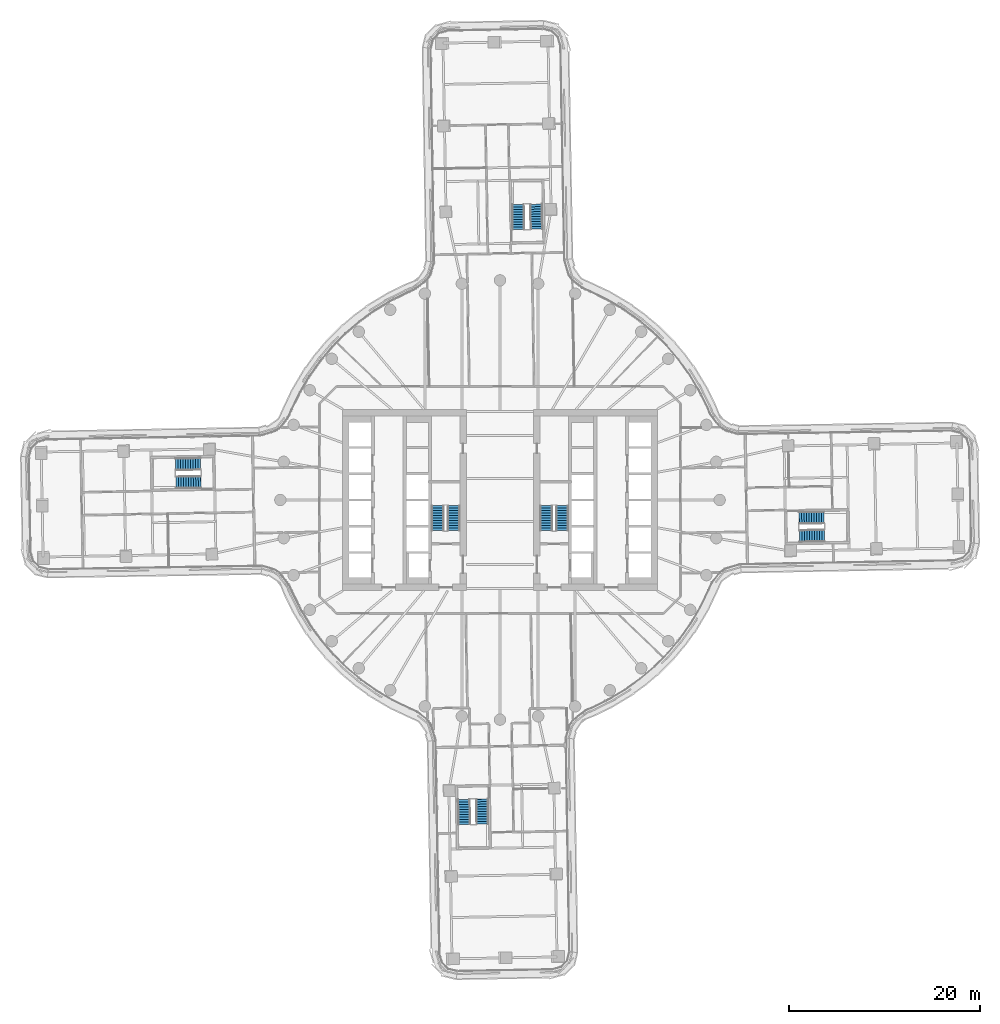
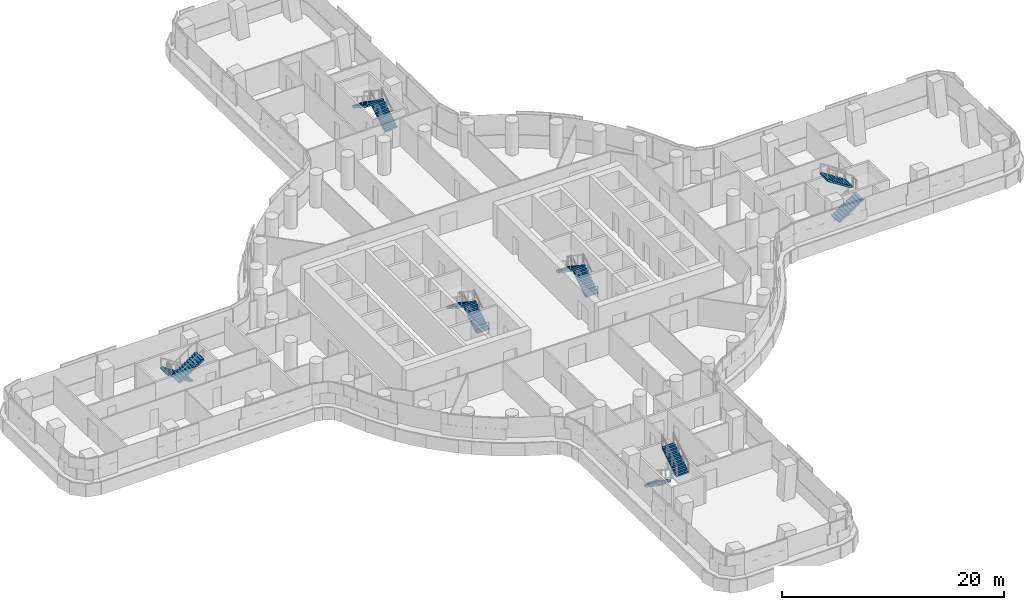
# One storey, part 24 of 31: 12 stair flights, 6 elements without a shape of their own.
"""IFC4 building model written with IfcOpenShell, lengths in metres."""

import ifcopenshell
import ifcopenshell.guid

model = None  # the IFC model being written
_history = None  # IfcOwnerHistory: only IFC2X3 demands one
_inside = {}  # id of a spatial element -> (the spatial element, [elements in it])
_under = {}  # id of a project, library or spatial element -> (it, [spatial elements below it])
_declared = {}  # id of a project -> (the project, [libraries it declares])
_typed = {}  # id of a type object -> (the type object, [elements of that type])
_made_of = {}  # id of a material, layer set ... -> (it, [elements and type objects made of it])


def new_model(schema):
    """Start an empty IFC model of exactly this schema.

    Asked for "IFC4X3", IfcOpenShell would pick the latest addendum, in which some entities
    have other attributes; the version numbers below select the first issue.
    IFC2X3 requires an IfcOwnerHistory on every rooted entity: one is made here for all.
    """
    global model, _history
    if schema == "IFC4X3":
        model = ifcopenshell.file(schema_version=(4, 3, 0, 0))
    else:
        model = ifcopenshell.file(schema=schema)
    _inside.clear()
    _under.clear()
    _declared.clear()
    _typed.clear()
    _made_of.clear()
    _history = None
    if model.schema == "IFC2X3":
        org = make("IfcOrganization", Name="unknown")
        user = make(
            "IfcPersonAndOrganization",
            ThePerson=make("IfcPerson", FamilyName="unknown"),
            TheOrganization=org,
        )
        app = make(
            "IfcApplication",
            ApplicationDeveloper=org,
            Version="unknown",
            ApplicationFullName="unknown",
            ApplicationIdentifier="unknown",
        )
        _history = make(
            "IfcOwnerHistory",
            OwningUser=user,
            OwningApplication=app,
            ChangeAction="ADDED",
            CreationDate=0,
        )
    return model


def make(cls, **values):
    """One entity of the class cls with the attributes given. An attribute that is None is left unset."""
    return model.create_entity(
        cls, **{name: value for name, value in values.items() if value is not None}
    )


def rooted(cls, **values):
    """An entity with a GlobalId (a new one), such as an element, a storey or a relation."""
    return make(cls, GlobalId=ifcopenshell.guid.new(), OwnerHistory=_history, **values)


def si_unit(unit_type, name, prefix=None):
    """IfcSIUnit, for example si_unit("LENGTHUNIT", "METRE", prefix="MILLI")."""
    return make("IfcSIUnit", UnitType=unit_type, Prefix=prefix, Name=name)


def assignment(units):
    """IfcUnitAssignment: the units of a project."""
    return None if units is None else make("IfcUnitAssignment", Units=units)


def point(xyz):
    """IfcCartesianPoint."""
    return None if xyz is None else make("IfcCartesianPoint", Coordinates=xyz)


def direction(xyz):
    """IfcDirection."""
    return None if xyz is None else make("IfcDirection", DirectionRatios=xyz)


def frame(location, z_axis=None, x_axis=None):
    """IfcAxis2Placement3D, a coordinate frame: its origin and axes. An axis left out is left unset."""
    return make(
        "IfcAxis2Placement3D",
        Location=point(location),
        Axis=direction(z_axis),
        RefDirection=direction(x_axis),
    )


def origin():
    """The frame at (0, 0, 0) with its axes left unset."""
    return frame((0.0, 0.0, 0.0))


def place(relative_to, where):
    """IfcLocalPlacement: puts the frame where relative to a parent placement (None: the world)."""
    return make(
        "IfcLocalPlacement", PlacementRelTo=relative_to, RelativePlacement=where
    )


def context(
    kind, dimensions, precision=None, world=None, true_north=None, identifier=None
):
    """IfcGeometricRepresentationContext, for example the 3D "Model" context."""
    return make(
        "IfcGeometricRepresentationContext",
        ContextIdentifier=identifier,
        ContextType=kind,
        CoordinateSpaceDimension=dimensions,
        Precision=precision,
        WorldCoordinateSystem=world,
        TrueNorth=true_north,
    )


def subcontext(parent, identifier, kind, view, scale=None):
    """IfcGeometricRepresentationSubContext, for example "Body" below "Model"."""
    return make(
        "IfcGeometricRepresentationSubContext",
        ContextIdentifier=identifier,
        ContextType=kind,
        ParentContext=parent,
        TargetScale=scale,
        TargetView=view,
    )


def project(units=None, contexts=None):
    """IfcProject with its units and contexts."""
    return rooted(
        "IfcProject",
        Name="project",
        RepresentationContexts=contexts,
        UnitsInContext=assignment(units),
    )


def spatial(cls, under=None, at=None, **own):
    """A site, building, storey or space (cls), placed at a placement, below another one or the project."""
    s = rooted(cls, ObjectPlacement=at, **own)
    if under is not None:
        _under.setdefault(under.id(), (under, []))[1].append(s)
    return s


def polyline(points):
    """IfcPolyline through the points."""
    return make("IfcPolyline", Points=[point(p) for p in points])


def outline(outer, holes=None, kind="AREA"):
    """IfcArbitraryClosedProfileDef: a profile drawn as a closed curve; with holes, ...WithVoids."""
    if holes is None:
        return make("IfcArbitraryClosedProfileDef", ProfileType=kind, OuterCurve=outer)
    return make(
        "IfcArbitraryProfileDefWithVoids",
        ProfileType=kind,
        OuterCurve=outer,
        InnerCurves=holes,
    )


def extrude(swept, where, along, depth):
    """IfcExtrudedAreaSolid: the profile swept, set in the frame where, extruded along a direction by depth."""
    return make(
        "IfcExtrudedAreaSolid",
        SweptArea=swept,
        Position=where,
        ExtrudedDirection=direction(along),
        Depth=depth,
    )


def shape(context_of_items, identifier, shape_type, items):
    """IfcShapeRepresentation: the items that make up one representation, for example the "Body"."""
    return make(
        "IfcShapeRepresentation",
        ContextOfItems=context_of_items,
        RepresentationIdentifier=identifier,
        RepresentationType=shape_type,
        Items=items,
    )


def material(Name=None, Category=None):
    """IfcMaterial."""
    return make("IfcMaterial", Name=Name, Category=Category)


def made_of(thing, what):
    """Note that an element or type object is made of a material, layer set ...; save() writes the relation."""
    if what is not None:
        _made_of.setdefault(what.id(), (what, []))[1].append(thing)
    return thing


def type_object(cls, material=None, **own):
    """A type object (cls), such as IfcWallType, which elements share."""
    return made_of(rooted(cls, **own), material)


def element(
    cls,
    number,
    at=None,
    inside=None,
    cuts=None,
    type_object=None,
    material=None,
    context=None,
    identifier="Body",
    shape_type=None,
    held_by="IfcProductDefinitionShape",
    body=None,
    shapes=None,
    **own,
):
    """One element of the class cls, such as IfcWall. Its Tag is "e" and its number.

    at: its placement. inside: the storey or other place that contains it. cuts: it is an
    opening in that element (IfcRelVoidsElement). A single representation is given by context,
    identifier, shape_type and body (its items); several are given by shapes. held_by: the class
    of the entity that holds the representations. save() writes the other relations.
    """
    e = rooted(cls, Tag="e%d" % number, ObjectPlacement=at, **own)
    if body is not None:
        shapes = [shape(context, identifier, shape_type, body)]
    if shapes is not None:
        e.Representation = make(held_by, Representations=shapes)
    if inside is not None:
        _inside.setdefault(inside.id(), (inside, []))[1].append(e)
    if cuts is not None:
        rooted(
            "IfcRelVoidsElement", RelatingBuildingElement=cuts, RelatedOpeningElement=e
        )
    if type_object is not None:
        _typed.setdefault(type_object.id(), (type_object, []))[1].append(e)
    return made_of(e, material)


def aggregate(whole, parts):
    """IfcRelAggregates: a whole, such as a stair, and the parts it consists of."""
    return rooted("IfcRelAggregates", RelatingObject=whole, RelatedObjects=parts)


def save(model, path):
    """Write the relations noted so far, then the file.

    IfcRelAggregates (storeys below a building ...), IfcRelContainedInSpatialStructure (elements
    in a storey), IfcRelDefinesByType, IfcRelAssociatesMaterial and IfcRelDeclares: one each for
    every whole, place, type object, material and project.
    """
    for whole, parts in _under.values():
        aggregate(whole, parts)
    for where, things in _inside.values():
        rooted(
            "IfcRelContainedInSpatialStructure",
            RelatedElements=things,
            RelatingStructure=where,
        )
    for kind, things in _typed.values():
        rooted("IfcRelDefinesByType", RelatedObjects=things, RelatingType=kind)
    for what, things in _made_of.values():
        rooted("IfcRelAssociatesMaterial", RelatedObjects=things, RelatingMaterial=what)
    for by, libraries in _declared.values():
        rooted("IfcRelDeclares", RelatingContext=by, RelatedDefinitions=libraries)
    model.write(path)


model = new_model("IFC4")

# Units and contexts
model_context = context("Model", 3, precision=1e-05, world=origin(), true_north=direction((0.0, 1.0)))
body_context = subcontext(model_context, "Body", "Model", "MODEL_VIEW")
ifc_project = project(units=[si_unit("LENGTHUNIT", "METRE"), si_unit("AREAUNIT", "SQUARE_METRE"), si_unit("VOLUMEUNIT", "CUBIC_METRE"), si_unit("PLANEANGLEUNIT", "RADIAN"), si_unit("MASSUNIT", "GRAM", prefix="KILO")], contexts=[model_context])

# Site, building, storey
site_placement = place(None, origin())
site = spatial("IfcSite", under=ifc_project, at=site_placement, CompositionType="ELEMENT")
building_placement = place(site_placement, origin())
building = spatial("IfcBuilding", under=site, at=building_placement, Name="Tamarind Cross Interchange Tower", CompositionType="ELEMENT")
storey_placement = place(building_placement, frame((0.0, 0.0, 37.75)))
storey = spatial("IfcBuildingStorey", under=building, at=storey_placement, Name="L07", CompositionType="ELEMENT", Elevation=37.75)

# Stair, stair flights
ifc_material_1 = material(Name="Exit stair")
stair_type = type_object("IfcStairType", Name="Exit stair", PredefinedType="HALF_TURN_STAIR", material=ifc_material_1)
stair_1_placement = place(storey_placement, origin())
stair_1 = element("IfcStair", 1, at=stair_1_placement, inside=storey, type_object=stair_type, Name="L07 exit stair ST1", PredefinedType="HALF_TURN_STAIR")
ifc_material_2 = material(Name="Exit stair flight")
stair_flight_type = type_object("IfcStairFlightType", Name="Exit stair flight", PredefinedType="STRAIGHT", material=ifc_material_2)
stair_flight_1_placement = place(storey_placement, frame((-4.85009765625, -3.199951171875, 0.0), z_axis=(0.0, 0.0, 1.0), x_axis=(0.0, 1.0, 0.0)))
stair_flight_1 = element("IfcStairFlight", 2, at=stair_flight_1_placement, type_object=stair_flight_type, Name="ST1 flight 1", NumberOfRisers=11, NumberOfTreads=10, PredefinedType="STRAIGHT", RiserHeight=0.170454545, TreadLength=0.26, context=body_context, shape_type="SweptSolid", body=[
    extrude(outline(polyline([(0.0, 0.0), (0.0, 0.17041015625), (0.260009765625, 0.17041015625), (0.260009765625, 0.3408203125), (0.52001953125, 0.3408203125), (0.52001953125, 0.511474609375), (0.780029296875, 0.511474609375), (0.780029296875, 0.681884765625), (1.0400390625, 0.681884765625), (1.0400390625, 0.852294921875), (1.300048828125, 0.852294921875), (1.300048828125, 1.022705078125), (1.56005859375, 1.022705078125), (1.56005859375, 1.193115234375), (1.820068359375, 1.193115234375), (1.820068359375, 1.363525390625), (2.080078125, 1.363525390625), (2.080078125, 1.5341796875), (2.340087890625, 1.5341796875), (2.340087890625, 1.70458984375), (2.60009765625, 1.70458984375), (2.60009765625, 1.875), (2.60009765625, 1.525390625), (0.2734375, 0.0), (0.0, 0.0)])), frame((0.0, 0.64990234375, 0.0), z_axis=(0.0, -1.0, 0.0), x_axis=(1.0, 0.0, 0.0)), (0.0, 0.0, 1.0), 1.300048828125),
])
stair_flight_2_placement = place(storey_placement, frame((-6.5, -0.60009765625, 1.875), z_axis=(0.0, 0.0, 1.0), x_axis=(0.0, -1.0, 0.0)))
stair_flight_2 = element("IfcStairFlight", 3, at=stair_flight_2_placement, type_object=stair_flight_type, Name="ST1 flight 2", NumberOfRisers=11, NumberOfTreads=10, PredefinedType="STRAIGHT", RiserHeight=0.170454545, TreadLength=0.26, context=body_context, shape_type="SweptSolid", body=[
    extrude(outline(polyline([(0.0, 0.0), (0.0, 0.17041015625), (0.260009765625, 0.17041015625), (0.260009765625, 0.3408203125), (0.52001953125, 0.3408203125), (0.52001953125, 0.511474609375), (0.780029296875, 0.511474609375), (0.780029296875, 0.681884765625), (1.0400390625, 0.681884765625), (1.0400390625, 0.852294921875), (1.300048828125, 0.852294921875), (1.300048828125, 1.022705078125), (1.56005859375, 1.022705078125), (1.56005859375, 1.193115234375), (1.820068359375, 1.193115234375), (1.820068359375, 1.363525390625), (2.080078125, 1.363525390625), (2.080078125, 1.5341796875), (2.340087890625, 1.5341796875), (2.340087890625, 1.70458984375), (2.60009765625, 1.70458984375), (2.60009765625, 1.7548828125), (2.612060546875, 1.7548828125), (2.612060546875, 1.533203125), (0.2734375, 0.0), (0.0, 0.0)])), frame((0.0, 0.64990234375, 0.0), z_axis=(0.0, -1.0, 0.0), x_axis=(1.0, 0.0, 0.0)), (0.0, 0.0, 1.0), 1.300048828125),
])
aggregate(stair_1, [stair_flight_1, stair_flight_2])

stair_2_placement = place(storey_placement, origin())
stair_2 = element("IfcStair", 4, at=stair_2_placement, inside=storey, type_object=stair_type, Name="L07 exit stair ST2", PredefinedType="HALF_TURN_STAIR")
stair_flight_3_placement = place(storey_placement, frame((6.5, -3.199951171875, 0.0), z_axis=(0.0, 0.0, 1.0), x_axis=(0.0, 1.0, 0.0)))
stair_flight_3 = element("IfcStairFlight", 5, at=stair_flight_3_placement, type_object=stair_flight_type, Name="ST2 flight 1", NumberOfRisers=11, NumberOfTreads=10, PredefinedType="STRAIGHT", RiserHeight=0.170454545, TreadLength=0.26, context=body_context, shape_type="SweptSolid", body=[
    extrude(outline(polyline([(0.0, 0.0), (0.0, 0.17041015625), (0.260009765625, 0.17041015625), (0.260009765625, 0.3408203125), (0.52001953125, 0.3408203125), (0.52001953125, 0.511474609375), (0.780029296875, 0.511474609375), (0.780029296875, 0.681884765625), (1.0400390625, 0.681884765625), (1.0400390625, 0.852294921875), (1.300048828125, 0.852294921875), (1.300048828125, 1.022705078125), (1.56005859375, 1.022705078125), (1.56005859375, 1.193115234375), (1.820068359375, 1.193115234375), (1.820068359375, 1.363525390625), (2.080078125, 1.363525390625), (2.080078125, 1.5341796875), (2.340087890625, 1.5341796875), (2.340087890625, 1.70458984375), (2.60009765625, 1.70458984375), (2.60009765625, 1.875), (2.60009765625, 1.525390625), (0.2734375, 0.0), (0.0, 0.0)])), frame((0.0, 0.64990234375, 0.0), z_axis=(0.0, -1.0, 0.0), x_axis=(1.0, 0.0, 0.0)), (0.0, 0.0, 1.0), 1.300048828125),
])
stair_flight_4_placement = place(storey_placement, frame((4.85009765625, -0.60009765625, 1.875), z_axis=(0.0, 0.0, 1.0), x_axis=(0.0, -1.0, 0.0)))
stair_flight_4 = element("IfcStairFlight", 6, at=stair_flight_4_placement, type_object=stair_flight_type, Name="ST2 flight 2", NumberOfRisers=11, NumberOfTreads=10, PredefinedType="STRAIGHT", RiserHeight=0.170454545, TreadLength=0.26, context=body_context, shape_type="SweptSolid", body=[
    extrude(outline(polyline([(0.0, 0.0), (0.0, 0.17041015625), (0.260009765625, 0.17041015625), (0.260009765625, 0.3408203125), (0.52001953125, 0.3408203125), (0.52001953125, 0.511474609375), (0.780029296875, 0.511474609375), (0.780029296875, 0.681884765625), (1.0400390625, 0.681884765625), (1.0400390625, 0.852294921875), (1.300048828125, 0.852294921875), (1.300048828125, 1.022705078125), (1.56005859375, 1.022705078125), (1.56005859375, 1.193115234375), (1.820068359375, 1.193115234375), (1.820068359375, 1.363525390625), (2.080078125, 1.363525390625), (2.080078125, 1.5341796875), (2.340087890625, 1.5341796875), (2.340087890625, 1.70458984375), (2.60009765625, 1.70458984375), (2.60009765625, 1.7548828125), (2.612060546875, 1.7548828125), (2.612060546875, 1.533203125), (0.2734375, 0.0), (0.0, 0.0)])), frame((0.0, 0.64990234375, 0.0), z_axis=(0.0, -1.0, 0.0), x_axis=(1.0, 0.0, 0.0)), (0.0, 0.0, 1.0), 1.300048828125),
])
aggregate(stair_2, [stair_flight_3, stair_flight_4])

stair_3_placement = place(storey_placement, origin())
stair_3 = element("IfcStair", 7, at=stair_3_placement, inside=storey, type_object=stair_type, Name="L07 exit stair ST3", PredefinedType="HALF_TURN_STAIR")
stair_flight_5_placement = place(storey_placement, frame((31.370361328125, -3.77978515625, 0.0), z_axis=(0.0, 0.0, 1.0), x_axis=(0.999833743347, 0.018234189439, 0.0)))
stair_flight_5 = element("IfcStairFlight", 8, at=stair_flight_5_placement, type_object=stair_flight_type, Name="ST3 flight 1", NumberOfRisers=11, NumberOfTreads=10, PredefinedType="STRAIGHT", RiserHeight=0.170454545, TreadLength=0.26, context=body_context, shape_type="SweptSolid", body=[
    extrude(outline(polyline([(0.0, 0.0), (0.0, 0.17041015625), (0.260009765625, 0.17041015625), (0.260009765625, 0.3408203125), (0.52001953125, 0.3408203125), (0.52001953125, 0.511474609375), (0.780029296875, 0.511474609375), (0.780029296875, 0.681884765625), (1.0400390625, 0.681884765625), (1.0400390625, 0.852294921875), (1.300048828125, 0.852294921875), (1.300048828125, 1.022705078125), (1.56005859375, 1.022705078125), (1.56005859375, 1.193115234375), (1.820068359375, 1.193115234375), (1.820068359375, 1.363525390625), (2.080078125, 1.363525390625), (2.080078125, 1.5341796875), (2.340087890625, 1.5341796875), (2.340087890625, 1.70458984375), (2.60009765625, 1.70458984375), (2.60009765625, 1.875), (2.60009765625, 1.525390625), (0.2734375, 0.0), (0.0, 0.0)])), frame((0.0, 0.64990234375, 0.0), z_axis=(0.0, -1.0, 0.0), x_axis=(1.0, 0.0, 0.0)), (0.0, 0.0, 1.0), 1.300048828125),
])
stair_flight_6_placement = place(storey_placement, frame((33.935302734375, -1.832763671875, 1.875), z_axis=(0.0, 0.0, 1.0), x_axis=(-0.999833743347, -0.018234189439, 0.0)))
stair_flight_6 = element("IfcStairFlight", 9, at=stair_flight_6_placement, type_object=stair_flight_type, Name="ST3 flight 2", NumberOfRisers=11, NumberOfTreads=10, PredefinedType="STRAIGHT", RiserHeight=0.170454545, TreadLength=0.26, context=body_context, shape_type="SweptSolid", body=[
    extrude(outline(polyline([(0.0, 0.0), (0.0, 0.17041015625), (0.260009765625, 0.17041015625), (0.260009765625, 0.3408203125), (0.52001953125, 0.3408203125), (0.52001953125, 0.511474609375), (0.780029296875, 0.511474609375), (0.780029296875, 0.681884765625), (1.0400390625, 0.681884765625), (1.0400390625, 0.852294921875), (1.300048828125, 0.852294921875), (1.300048828125, 1.022705078125), (1.56005859375, 1.022705078125), (1.56005859375, 1.193115234375), (1.820068359375, 1.193115234375), (1.820068359375, 1.363525390625), (2.080078125, 1.363525390625), (2.080078125, 1.5341796875), (2.340087890625, 1.5341796875), (2.340087890625, 1.70458984375), (2.60009765625, 1.70458984375), (2.60009765625, 1.7548828125), (2.612060546875, 1.7548828125), (2.612060546875, 1.533203125), (0.2734375, 0.0), (0.0, 0.0)])), frame((0.0, 0.64990234375, 0.0), z_axis=(0.0, -1.0, 0.0), x_axis=(1.0, 0.0, 0.0)), (0.0, 0.0, 1.0), 1.300048828125),
])
aggregate(stair_3, [stair_flight_5, stair_flight_6])

stair_4_placement = place(storey_placement, origin())
stair_4 = element("IfcStair", 10, at=stair_4_placement, inside=storey, type_object=stair_type, Name="L07 exit stair ST4", PredefinedType="HALF_TURN_STAIR")
stair_flight_7_placement = place(storey_placement, frame((3.83447265625, 28.37109375, 0.0), z_axis=(0.0, 0.0, 1.0), x_axis=(-0.018234189439, 0.999833743347, 0.0)))
stair_flight_7 = element("IfcStairFlight", 11, at=stair_flight_7_placement, type_object=stair_flight_type, Name="ST4 flight 1", NumberOfRisers=11, NumberOfTreads=10, PredefinedType="STRAIGHT", RiserHeight=0.170454545, TreadLength=0.26, context=body_context, shape_type="SweptSolid", body=[
    extrude(outline(polyline([(0.0, 0.0), (0.0, 0.17041015625), (0.260009765625, 0.17041015625), (0.260009765625, 0.3408203125), (0.52001953125, 0.3408203125), (0.52001953125, 0.511474609375), (0.780029296875, 0.511474609375), (0.780029296875, 0.681884765625), (1.0400390625, 0.681884765625), (1.0400390625, 0.852294921875), (1.300048828125, 0.852294921875), (1.300048828125, 1.022705078125), (1.56005859375, 1.022705078125), (1.56005859375, 1.193115234375), (1.820068359375, 1.193115234375), (1.820068359375, 1.363525390625), (2.080078125, 1.363525390625), (2.080078125, 1.5341796875), (2.340087890625, 1.5341796875), (2.340087890625, 1.70458984375), (2.60009765625, 1.70458984375), (2.60009765625, 1.875), (2.60009765625, 1.525390625), (0.2734375, 0.0), (0.0, 0.0)])), frame((0.0, 0.64990234375, 0.0), z_axis=(0.0, -1.0, 0.0), x_axis=(1.0, 0.0, 0.0)), (0.0, 0.0, 1.0), 1.300048828125),
])
stair_flight_8_placement = place(storey_placement, frame((1.887451171875, 30.935791015625, 1.875), z_axis=(0.0, 0.0, 1.0), x_axis=(0.018234189439, -0.999833743347, 0.0)))
stair_flight_8 = element("IfcStairFlight", 12, at=stair_flight_8_placement, type_object=stair_flight_type, Name="ST4 flight 2", NumberOfRisers=11, NumberOfTreads=10, PredefinedType="STRAIGHT", RiserHeight=0.170454545, TreadLength=0.26, context=body_context, shape_type="SweptSolid", body=[
    extrude(outline(polyline([(0.0, 0.0), (0.0, 0.17041015625), (0.260009765625, 0.17041015625), (0.260009765625, 0.3408203125), (0.52001953125, 0.3408203125), (0.52001953125, 0.511474609375), (0.780029296875, 0.511474609375), (0.780029296875, 0.681884765625), (1.0400390625, 0.681884765625), (1.0400390625, 0.852294921875), (1.300048828125, 0.852294921875), (1.300048828125, 1.022705078125), (1.56005859375, 1.022705078125), (1.56005859375, 1.193115234375), (1.820068359375, 1.193115234375), (1.820068359375, 1.363525390625), (2.080078125, 1.363525390625), (2.080078125, 1.5341796875), (2.340087890625, 1.5341796875), (2.340087890625, 1.70458984375), (2.60009765625, 1.70458984375), (2.60009765625, 1.7548828125), (2.612060546875, 1.7548828125), (2.612060546875, 1.533203125), (0.2734375, 0.0), (0.0, 0.0)])), frame((0.0, 0.64990234375, 0.0), z_axis=(0.0, -1.0, 0.0), x_axis=(1.0, 0.0, 0.0)), (0.0, 0.0, 1.0), 1.300048828125),
])
aggregate(stair_4, [stair_flight_7, stair_flight_8])

stair_5_placement = place(storey_placement, origin())
stair_5 = element("IfcStair", 13, at=stair_5_placement, inside=storey, type_object=stair_type, Name="L07 exit stair ST5", PredefinedType="HALF_TURN_STAIR")
stair_flight_9_placement = place(storey_placement, frame((-31.370361328125, 3.77978515625, 0.0), z_axis=(0.0, 0.0, 1.0), x_axis=(-0.999833743347, -0.018234189439, 0.0)))
stair_flight_9 = element("IfcStairFlight", 14, at=stair_flight_9_placement, type_object=stair_flight_type, Name="ST5 flight 1", NumberOfRisers=11, NumberOfTreads=10, PredefinedType="STRAIGHT", RiserHeight=0.170454545, TreadLength=0.26, context=body_context, shape_type="SweptSolid", body=[
    extrude(outline(polyline([(0.0, 0.0), (0.0, 0.17041015625), (0.260009765625, 0.17041015625), (0.260009765625, 0.3408203125), (0.52001953125, 0.3408203125), (0.52001953125, 0.511474609375), (0.780029296875, 0.511474609375), (0.780029296875, 0.681884765625), (1.0400390625, 0.681884765625), (1.0400390625, 0.852294921875), (1.300048828125, 0.852294921875), (1.300048828125, 1.022705078125), (1.56005859375, 1.022705078125), (1.56005859375, 1.193115234375), (1.820068359375, 1.193115234375), (1.820068359375, 1.363525390625), (2.080078125, 1.363525390625), (2.080078125, 1.5341796875), (2.340087890625, 1.5341796875), (2.340087890625, 1.70458984375), (2.60009765625, 1.70458984375), (2.60009765625, 1.875), (2.60009765625, 1.525390625), (0.2734375, 0.0), (0.0, 0.0)])), frame((0.0, 0.64990234375, 0.0), z_axis=(0.0, -1.0, 0.0), x_axis=(1.0, 0.0, 0.0)), (0.0, 0.0, 1.0), 1.300048828125),
])
stair_flight_10_placement = place(storey_placement, frame((-33.935302734375, 1.832763671875, 1.875), z_axis=(0.0, 0.0, 1.0), x_axis=(0.999833743347, 0.018234189439, 0.0)))
stair_flight_10 = element("IfcStairFlight", 15, at=stair_flight_10_placement, type_object=stair_flight_type, Name="ST5 flight 2", NumberOfRisers=11, NumberOfTreads=10, PredefinedType="STRAIGHT", RiserHeight=0.170454545, TreadLength=0.26, context=body_context, shape_type="SweptSolid", body=[
    extrude(outline(polyline([(0.0, 0.0), (0.0, 0.17041015625), (0.260009765625, 0.17041015625), (0.260009765625, 0.3408203125), (0.52001953125, 0.3408203125), (0.52001953125, 0.511474609375), (0.780029296875, 0.511474609375), (0.780029296875, 0.681884765625), (1.0400390625, 0.681884765625), (1.0400390625, 0.852294921875), (1.300048828125, 0.852294921875), (1.300048828125, 1.022705078125), (1.56005859375, 1.022705078125), (1.56005859375, 1.193115234375), (1.820068359375, 1.193115234375), (1.820068359375, 1.363525390625), (2.080078125, 1.363525390625), (2.080078125, 1.5341796875), (2.340087890625, 1.5341796875), (2.340087890625, 1.70458984375), (2.60009765625, 1.70458984375), (2.60009765625, 1.7548828125), (2.612060546875, 1.7548828125), (2.612060546875, 1.533203125), (0.2734375, 0.0), (0.0, 0.0)])), frame((0.0, 0.64990234375, 0.0), z_axis=(0.0, -1.0, 0.0), x_axis=(1.0, 0.0, 0.0)), (0.0, 0.0, 1.0), 1.300048828125),
])
aggregate(stair_5, [stair_flight_9, stair_flight_10])

stair_6_placement = place(storey_placement, origin())
stair_6 = element("IfcStair", 16, at=stair_6_placement, inside=storey, type_object=stair_type, Name="L07 exit stair ST6", PredefinedType="HALF_TURN_STAIR")
stair_flight_11_placement = place(storey_placement, frame((-3.77978515625, -31.370361328125, 0.0), z_axis=(0.0, 0.0, 1.0), x_axis=(0.018234189439, -0.999833743347, 0.0)))
stair_flight_11 = element("IfcStairFlight", 17, at=stair_flight_11_placement, type_object=stair_flight_type, Name="ST6 flight 1", NumberOfRisers=11, NumberOfTreads=10, PredefinedType="STRAIGHT", RiserHeight=0.170454545, TreadLength=0.26, context=body_context, shape_type="SweptSolid", body=[
    extrude(outline(polyline([(0.0, 0.0), (0.0, 0.17041015625), (0.260009765625, 0.17041015625), (0.260009765625, 0.3408203125), (0.52001953125, 0.3408203125), (0.52001953125, 0.511474609375), (0.780029296875, 0.511474609375), (0.780029296875, 0.681884765625), (1.0400390625, 0.681884765625), (1.0400390625, 0.852294921875), (1.300048828125, 0.852294921875), (1.300048828125, 1.022705078125), (1.56005859375, 1.022705078125), (1.56005859375, 1.193115234375), (1.820068359375, 1.193115234375), (1.820068359375, 1.363525390625), (2.080078125, 1.363525390625), (2.080078125, 1.5341796875), (2.340087890625, 1.5341796875), (2.340087890625, 1.70458984375), (2.60009765625, 1.70458984375), (2.60009765625, 1.875), (2.60009765625, 1.525390625), (0.2734375, 0.0), (0.0, 0.0)])), frame((0.0, 0.64990234375, 0.0), z_axis=(0.0, -1.0, 0.0), x_axis=(1.0, 0.0, 0.0)), (0.0, 0.0, 1.0), 1.300048828125),
])
stair_flight_12_placement = place(storey_placement, frame((-1.832763671875, -33.935302734375, 1.875), z_axis=(0.0, 0.0, 1.0), x_axis=(-0.018234189439, 0.999833743347, 0.0)))
stair_flight_12 = element("IfcStairFlight", 18, at=stair_flight_12_placement, type_object=stair_flight_type, Name="ST6 flight 2", NumberOfRisers=11, NumberOfTreads=10, PredefinedType="STRAIGHT", RiserHeight=0.170454545, TreadLength=0.26, context=body_context, shape_type="SweptSolid", body=[
    extrude(outline(polyline([(0.0, 0.0), (0.0, 0.17041015625), (0.260009765625, 0.17041015625), (0.260009765625, 0.3408203125), (0.52001953125, 0.3408203125), (0.52001953125, 0.511474609375), (0.780029296875, 0.511474609375), (0.780029296875, 0.681884765625), (1.0400390625, 0.681884765625), (1.0400390625, 0.852294921875), (1.300048828125, 0.852294921875), (1.300048828125, 1.022705078125), (1.56005859375, 1.022705078125), (1.56005859375, 1.193115234375), (1.820068359375, 1.193115234375), (1.820068359375, 1.363525390625), (2.080078125, 1.363525390625), (2.080078125, 1.5341796875), (2.340087890625, 1.5341796875), (2.340087890625, 1.70458984375), (2.60009765625, 1.70458984375), (2.60009765625, 1.7548828125), (2.612060546875, 1.7548828125), (2.612060546875, 1.533203125), (0.2734375, 0.0), (0.0, 0.0)])), frame((0.0, 0.64990234375, 0.0), z_axis=(0.0, -1.0, 0.0), x_axis=(1.0, 0.0, 0.0)), (0.0, 0.0, 1.0), 1.300048828125),
])
aggregate(stair_6, [stair_flight_11, stair_flight_12])

save(model, "model.ifc")
